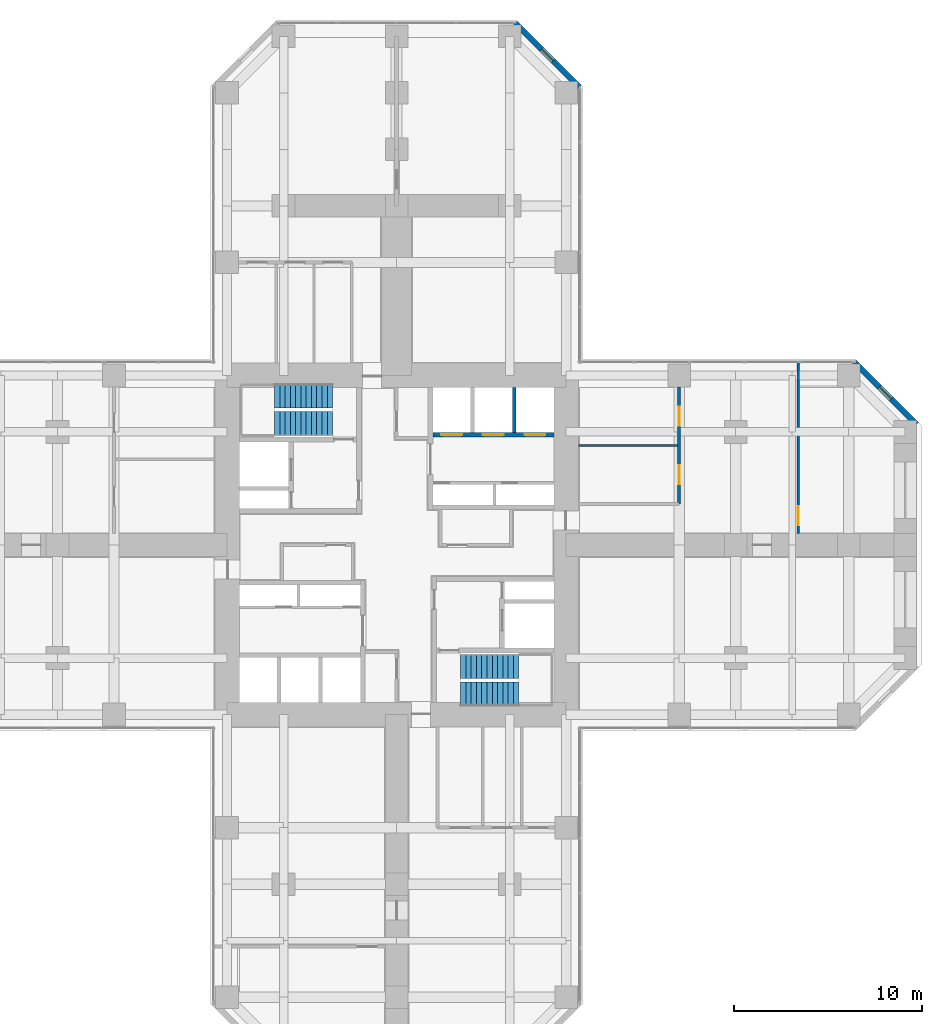
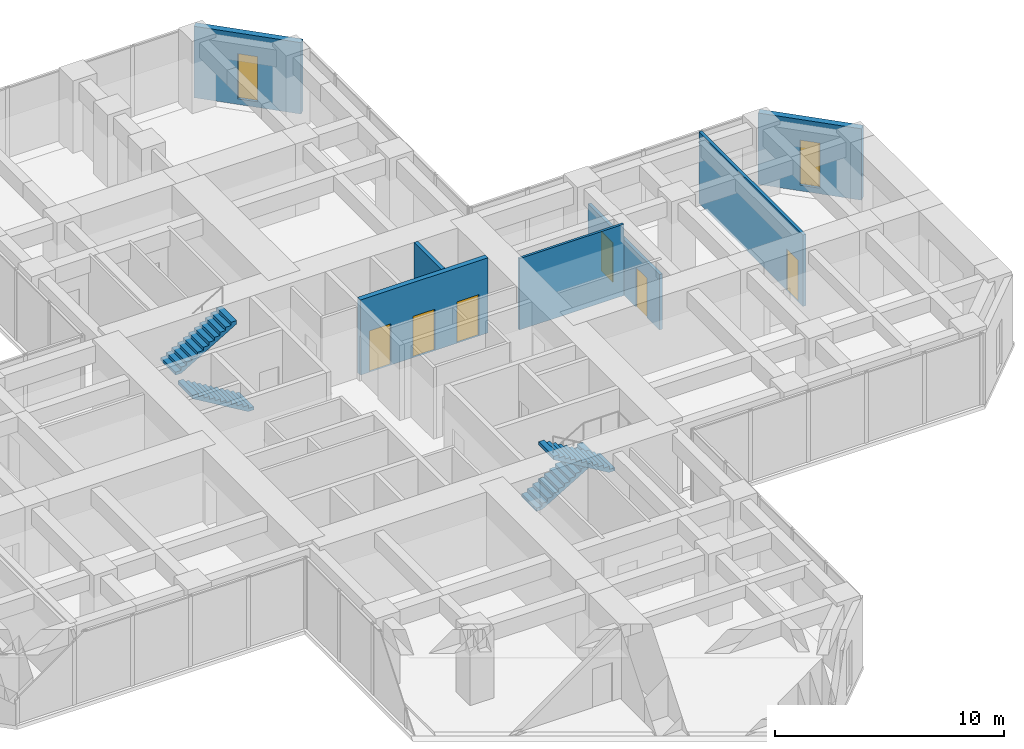
# One storey, part 11 of 12: 7 walls, 6 doors, 4 stair flights, 2 windows, 8 openings, 2 elements without a shape of their own.
"""IFC4 building model written with IfcOpenShell, lengths in metres."""

from ifc_helpers import new_model, si_unit, direction, frame, frame_2d, origin, place, context, subcontext, project, spatial, polyline, rectangle, hollow_rectangle, outline, extrude, material, layer, layer_set, constituent, constituent_set, type_object, element, fill, aggregate, save


model = new_model("IFC4")

# Units and contexts
model_context = context("Model", 3, precision=1e-05, world=origin(), true_north=direction((0.0, 1.0)))
body_context = subcontext(model_context, "Body", "Model", "MODEL_VIEW")
ifc_project = project(units=[si_unit("LENGTHUNIT", "METRE"), si_unit("AREAUNIT", "SQUARE_METRE"), si_unit("VOLUMEUNIT", "CUBIC_METRE"), si_unit("PLANEANGLEUNIT", "RADIAN"), si_unit("MASSUNIT", "GRAM", prefix="KILO")], contexts=[model_context])

# Site, building, storey
site_placement = place(None, origin())
site = spatial("IfcSite", under=ifc_project, at=site_placement, CompositionType="ELEMENT")
building_placement = place(site_placement, origin())
building = spatial("IfcBuilding", under=site, at=building_placement, Name="Torre Cruceta", CompositionType="ELEMENT")
storey_placement = place(building_placement, frame((0.0, 0.0, 59.5)))
storey = spatial("IfcBuildingStorey", under=building, at=storey_placement, Name="L14", CompositionType="ELEMENT", Elevation=59.5)

# Wall, openings, doors
ifc_material_1 = material(Name="Concrete G60 (fck 60 MPa)", Category="concrete")
ifc_layer_1 = layer(ifc_material_1, 0.25)
ifc_layer_set_1 = layer_set([ifc_layer_1], Name="Concrete G60 (fck 60 MPa)")
wall_type_1 = type_object("IfcWallType", Name="CORE INNER WALL 250 G60", PredefinedType="SHEAR", material=ifc_layer_set_1)
wall_1_placement = place(storey_placement, frame((1.925048828125, 5.85009765625, 0.0), z_axis=(0.0, 0.0, 1.0), x_axis=(1.0, 0.0, 0.0)))
wall_1 = element("IfcWall", 1, at=wall_1_placement, inside=storey, type_object=wall_type_1, Name="CW4 L14 NE-LV", PredefinedType="SHEAR", context=body_context, shape_type="SweptSolid", body=[
    extrude(rectangle(XDim=6.425048828125, YDim=0.25, at=frame_2d((3.21240234375, 0.0))), origin(), (0.0, 0.0, 1.0), 4.0),
])
opening_1_placement = place(wall_1_placement, frame((0.4541015625, 0.0, 0.0)))
opening_1 = element("IfcOpeningElement", 2, at=opening_1_placement, cuts=wall_1, Name="Opening LD1", PredefinedType="OPENING", context=body_context, shape_type="SweptSolid", body=[
    extrude(rectangle(XDim=1.10009765625, YDim=2.199951171875, at=frame_2d((0.550048828125, 1.10009765625))), frame((0.0, 0.135009765625, 0.0), z_axis=(0.0, -1.0, 0.0), x_axis=(1.0, 0.0, 0.0)), (0.0, 0.0, 1.0), 0.27001953125),
])
opening_2_placement = place(wall_1_placement, frame((2.66259765625, 0.0, 0.0)))
opening_2 = element("IfcOpeningElement", 3, at=opening_2_placement, cuts=wall_1, Name="Opening LD1", PredefinedType="OPENING", context=body_context, shape_type="SweptSolid", body=[
    extrude(rectangle(XDim=1.10009765625, YDim=2.199951171875, at=frame_2d((0.550048828125, 1.10009765625))), frame((0.0, 0.135009765625, 0.0), z_axis=(0.0, -1.0, 0.0), x_axis=(1.0, 0.0, 0.0)), (0.0, 0.0, 1.0), 0.27001953125),
])
opening_3_placement = place(wall_1_placement, frame((4.870849609375, 0.0, 0.0)))
opening_3 = element("IfcOpeningElement", 4, at=opening_3_placement, cuts=wall_1, Name="Opening LD1", PredefinedType="OPENING", context=body_context, shape_type="SweptSolid", body=[
    extrude(rectangle(XDim=1.10009765625, YDim=2.199951171875, at=frame_2d((0.550048828125, 1.10009765625))), frame((0.0, 0.135009765625, 0.0), z_axis=(0.0, -1.0, 0.0), x_axis=(1.0, 0.0, 0.0)), (0.0, 0.0, 1.0), 0.27001953125),
])
ifc_material_2 = material(Name="Stainless steel 1.4401", Category="steel")
door_type_1 = type_object("IfcDoorType", Name="LIFT LANDING DOOR 1100X2200", OperationType="DOUBLE_DOOR_SLIDING", PredefinedType="DOOR", material=ifc_material_2)
door_1_placement = place(opening_1_placement, origin())
door_1 = element("IfcDoor", 5, at=door_1_placement, inside=storey, type_object=door_type_1, Name="Lift landing door P1", OperationType="DOUBLE_DOOR_SLIDING", OverallHeight=2.199951171875, OverallWidth=1.10009765625, PredefinedType="DOOR", context=body_context, shape_type="SweptSolid", body=[
    extrude(rectangle(XDim=1.10009765625, YDim=2.199951171875, at=frame_2d((0.550048828125, 1.10009765625))), frame((0.0, 0.02490234375, 0.0), z_axis=(0.0, -1.0, 0.0), x_axis=(1.0, 0.0, 0.0)), (0.0, 0.0, 1.0), 0.050048828125),
])
fill(opening_1, door_1)
door_2_placement = place(opening_2_placement, origin())
door_2 = element("IfcDoor", 6, at=door_2_placement, inside=storey, type_object=door_type_1, Name="Lift landing door P2", OperationType="DOUBLE_DOOR_SLIDING", OverallHeight=2.199951171875, OverallWidth=1.10009765625, PredefinedType="DOOR", context=body_context, shape_type="SweptSolid", body=[
    extrude(rectangle(XDim=1.10009765625, YDim=2.199951171875, at=frame_2d((0.550048828125, 1.10009765625))), frame((0.0, 0.02490234375, 0.0), z_axis=(0.0, -1.0, 0.0), x_axis=(1.0, 0.0, 0.0)), (0.0, 0.0, 1.0), 0.050048828125),
])
fill(opening_2, door_2)
door_3_placement = place(opening_3_placement, origin())
door_3 = element("IfcDoor", 7, at=door_3_placement, inside=storey, type_object=door_type_1, Name="Lift landing door P3", OperationType="DOUBLE_DOOR_SLIDING", OverallHeight=2.199951171875, OverallWidth=1.10009765625, PredefinedType="DOOR", context=body_context, shape_type="SweptSolid", body=[
    extrude(rectangle(XDim=1.10009765625, YDim=2.199951171875, at=frame_2d((0.550048828125, 1.10009765625))), frame((0.0, 0.02490234375, 0.0), z_axis=(0.0, -1.0, 0.0), x_axis=(1.0, 0.0, 0.0)), (0.0, 0.0, 1.0), 0.050048828125),
])
fill(opening_3, door_3)

# Wall, opening, window
ifc_material_3 = material(Name="Concrete G30 (fck 30 MPa)", Category="concrete")
ifc_layer_2 = layer(ifc_material_3, 0.300048828125)
ifc_layer_set_2 = layer_set([ifc_layer_2], Name="Concrete G30 (fck 30 MPa)")
wall_type_2 = type_object("IfcWallType", Name="EXPOSED CONCRETE FACADE WALL 300", PredefinedType="SOLIDWALL", material=ifc_layer_set_2)
wall_2_placement = place(storey_placement, frame((27.60009765625, 6.418212890625, 0.0), z_axis=(0.0, 0.0, 1.0), x_axis=(-0.707106781187, 0.707106781187, 0.0)))
wall_2 = element("IfcWall", 8, at=wall_2_placement, inside=storey, type_object=wall_type_2, Name="EW1 facade wall L14 E chamfer 03", PredefinedType="SOLIDWALL", context=body_context, shape_type="SweptSolid", body=[
    extrude(rectangle(XDim=4.66943359375, YDim=0.300048828125, at=frame_2d((2.334716796875, 0.0))), origin(), (0.0, 0.0, 1.0), 3.800048828125),
])
opening_4_placement = place(wall_2_placement, frame((1.884765625, 0.0, 0.300048828125)))
opening_4 = element("IfcOpeningElement", 9, at=opening_4_placement, cuts=wall_2, Name="Opening WN5", PredefinedType="OPENING", context=body_context, shape_type="SweptSolid", body=[
    extrude(rectangle(XDim=0.89990234375, YDim=2.39990234375, at=frame_2d((0.449951171875, 1.199951171875))), frame((0.0, 0.159912109375, 0.0), z_axis=(0.0, -1.0, 0.0), x_axis=(1.0, 0.0, 0.0)), (0.0, 0.0, 1.0), 0.320068359375),
])
ifc_material_4 = material(Name="Aluminium window frame", Category="aluminium")
ifc_constituent_1 = constituent(ifc_material_4, Name="Frame")
ifc_material_5 = material(Name="Laminated insulating glass unit, low-iron clear", Category="glass")
ifc_constituent_2 = constituent(ifc_material_5, Name="Glazing")
ifc_constituent_set_1 = constituent_set(constituents=[ifc_constituent_1, ifc_constituent_2], Name="Aluminium window")
window_type = type_object("IfcWindowType", Name="CHAMFER SLOT WINDOW 900X2400", PartitioningType="SINGLE_PANEL", PredefinedType="WINDOW", material=ifc_constituent_set_1)
window_1_placement = place(opening_4_placement, origin())
window_1 = element("IfcWindow", 10, at=window_1_placement, inside=storey, type_object=window_type, Name="WN5 L14 E 1", OverallHeight=2.39990234375, OverallWidth=0.89990234375, PartitioningType="SINGLE_PANEL", PredefinedType="WINDOW", context=body_context, shape_type="SweptSolid", body=[
    extrude(hollow_rectangle(XDim=0.89990234375, YDim=2.39990234375, WallThickness=0.06005859375, at=frame_2d((0.449951171875, 1.199951171875))), frame((0.0, 0.030029296875, 0.0), z_axis=(0.0, -1.0, 0.0), x_axis=(1.0, 0.0, 0.0)), (0.0, 0.0, 1.0), 0.06005859375),
    extrude(rectangle(XDim=0.77880859375, YDim=2.27880859375, at=frame_2d((0.449951171875, 1.199951171875))), frame((0.0, 0.030029296875, 0.0), z_axis=(0.0, -1.0, 0.0), x_axis=(1.0, 0.0, 0.0)), (0.0, 0.0, 1.0), 0.06005859375),
])
fill(opening_4, window_1)

wall_3_placement = place(storey_placement, frame((9.719970703125, 24.29833984375, 0.0), z_axis=(0.0, 0.0, 1.0), x_axis=(-0.707106781187, 0.707106781187, 0.0)))
wall_3 = element("IfcWall", 11, at=wall_3_placement, inside=storey, type_object=wall_type_2, Name="EW1 facade wall L14 N chamfer 06", PredefinedType="SOLIDWALL", context=body_context, shape_type="SweptSolid", body=[
    extrude(rectangle(XDim=4.8388671875, YDim=0.300048828125, at=frame_2d((2.41943359375, 0.0))), origin(), (0.0, 0.0, 1.0), 3.800048828125),
])
opening_5_placement = place(wall_3_placement, frame((1.969482421875, 0.0, 0.300048828125)))
opening_5 = element("IfcOpeningElement", 12, at=opening_5_placement, cuts=wall_3, Name="Opening WN5", PredefinedType="OPENING", context=body_context, shape_type="SweptSolid", body=[
    extrude(rectangle(XDim=0.89990234375, YDim=2.39990234375, at=frame_2d((0.449951171875, 1.199951171875))), frame((0.0, 0.159912109375, 0.0), z_axis=(0.0, -1.0, 0.0), x_axis=(1.0, 0.0, 0.0)), (0.0, 0.0, 1.0), 0.320068359375),
])
window_2_placement = place(opening_5_placement, origin())
window_2 = element("IfcWindow", 13, at=window_2_placement, inside=storey, type_object=window_type, Name="WN5 L14 N 1", OverallHeight=2.39990234375, OverallWidth=0.89990234375, PartitioningType="SINGLE_PANEL", PredefinedType="WINDOW", context=body_context, shape_type="SweptSolid", body=[
    extrude(hollow_rectangle(XDim=0.89990234375, YDim=2.39990234375, WallThickness=0.06005859375, at=frame_2d((0.449951171875, 1.199951171875))), frame((0.0, 0.030029296875, 0.0), z_axis=(0.0, -1.0, 0.0), x_axis=(1.0, 0.0, 0.0)), (0.0, 0.0, 1.0), 0.06005859375),
    extrude(rectangle(XDim=0.77880859375, YDim=2.27880859375, at=frame_2d((0.449951171875, 1.199951171875))), frame((0.0, 0.030029296875, 0.0), z_axis=(0.0, -1.0, 0.0), x_axis=(1.0, 0.0, 0.0)), (0.0, 0.0, 1.0), 0.06005859375),
])
fill(opening_5, window_2)

# Wall
ifc_material_6 = material(Name="Concrete G35 (fck 35 MPa)", Category="concrete")
ifc_layer_3 = layer(ifc_material_6, 0.199951171875)
ifc_layer_set_3 = layer_set([ifc_layer_3], Name="Concrete G35 (fck 35 MPa)")
wall_type_3 = type_object("IfcWallType", Name="LIFT SHAFT WALL 200", PredefinedType="PARTITIONING", material=ifc_layer_set_3)
wall_4_placement = place(storey_placement, frame((6.24169921875, 5.97509765625, 0.0), z_axis=(0.0, 0.0, 1.0), x_axis=(0.0, 1.0, 0.0)))
element("IfcWall", 14, at=wall_4_placement, inside=storey, type_object=wall_type_3, Name="SW1 L14 NE-LS2", PredefinedType="PARTITIONING", context=body_context, shape_type="SweptSolid", body=[
    extrude(rectangle(XDim=2.375, YDim=0.199951171875, at=frame_2d((1.1875, 0.0))), origin(), (0.0, 0.0, 1.0), 4.0),
])

# Wall, openings, doors
ifc_material_7 = material(Name="Plasterboard on steel studs", Category="steel")
ifc_layer_4 = layer(ifc_material_7, 0.14990234375)
ifc_layer_set_4 = layer_set([ifc_layer_4], Name="Plasterboard on steel studs")
wall_type_4 = type_object("IfcWallType", Name="PARTITION 150", PredefinedType="PARTITIONING", material=ifc_layer_set_4)
wall_5_placement = place(storey_placement, frame((15.0, 2.175048828125, 0.0), z_axis=(0.0, 0.0, 1.0), x_axis=(0.0, 1.0, 0.0)))
wall_5 = element("IfcWall", 15, at=wall_5_placement, inside=storey, type_object=wall_type_4, Name="PT1 L14-E-BFL", PredefinedType="PARTITIONING", context=body_context, shape_type="SweptSolid", body=[
    extrude(rectangle(XDim=6.224853515625, YDim=0.14990234375, at=frame_2d((3.1123046875, 0.0))), origin(), (0.0, 0.0, 1.0), 2.949951171875),
])
opening_6_placement = place(wall_5_placement, frame((1.05615234375, 0.0, 0.0)))
opening_6 = element("IfcOpeningElement", 16, at=opening_6_placement, cuts=wall_5, Name="Opening D3", PredefinedType="OPENING", context=body_context, shape_type="SweptSolid", body=[
    extrude(rectangle(XDim=1.0, YDim=2.10009765625, at=frame_2d((0.5, 1.050048828125))), frame((0.0, 0.0849609375, 0.0), z_axis=(0.0, -1.0, 0.0), x_axis=(1.0, 0.0, 0.0)), (0.0, 0.0, 1.0), 0.169921875),
])
opening_7_placement = place(wall_5_placement, frame((4.168701171875, 0.0, 0.0)))
opening_7 = element("IfcOpeningElement", 17, at=opening_7_placement, cuts=wall_5, Name="Opening D3", PredefinedType="OPENING", context=body_context, shape_type="SweptSolid", body=[
    extrude(rectangle(XDim=1.0, YDim=2.10009765625, at=frame_2d((0.5, 1.050048828125))), frame((0.0, 0.0849609375, 0.0), z_axis=(0.0, -1.0, 0.0), x_axis=(1.0, 0.0, 0.0)), (0.0, 0.0, 1.0), 0.169921875),
])
ifc_material_8 = material(Name="Steel DX51D", Category="steel")
ifc_constituent_3 = constituent(ifc_material_8, Name="Leaf and frame")
ifc_material_9 = material(Name="Polyester powder coating", Category="paint")
ifc_constituent_4 = constituent(ifc_material_9, Name="Finish")
ifc_constituent_set_2 = constituent_set(constituents=[ifc_constituent_3, ifc_constituent_4], Name="Steel fire door")
door_type_2 = type_object("IfcDoorType", Name="FIRE DOOR 1000X2100", OperationType="SINGLE_SWING_LEFT", PredefinedType="DOOR", material=ifc_constituent_set_2)
door_4_placement = place(opening_6_placement, origin())
door_4 = element("IfcDoor", 18, at=door_4_placement, inside=storey, type_object=door_type_2, Name="D3 L14-E-BFL-D1", OperationType="SINGLE_SWING_LEFT", OverallHeight=2.10009765625, OverallWidth=1.0, PredefinedType="DOOR", context=body_context, shape_type="SweptSolid", body=[
    extrude(rectangle(XDim=1.0, YDim=2.10009765625, at=frame_2d((0.5, 1.050048828125))), frame((0.0, 0.02490234375, 0.0), z_axis=(0.0, -1.0, 0.0), x_axis=(1.0, 0.0, 0.0)), (0.0, 0.0, 1.0), 0.050048828125),
])
fill(opening_6, door_4)
door_5_placement = place(opening_7_placement, origin())
door_5 = element("IfcDoor", 19, at=door_5_placement, inside=storey, type_object=door_type_2, Name="D3 L14-E-BFL-D2", OperationType="SINGLE_SWING_LEFT", OverallHeight=2.10009765625, OverallWidth=1.0, PredefinedType="DOOR", context=body_context, shape_type="SweptSolid", body=[
    extrude(rectangle(XDim=1.0, YDim=2.10009765625, at=frame_2d((0.5, 1.050048828125))), frame((0.0, 0.02490234375, 0.0), z_axis=(0.0, -1.0, 0.0), x_axis=(1.0, 0.0, 0.0)), (0.0, 0.0, 1.0), 0.050048828125),
])
fill(opening_7, door_5)

# Wall, opening, door
wall_6_placement = place(storey_placement, frame((21.320068359375, 0.60009765625, 0.0), z_axis=(0.0, 0.0, 1.0), x_axis=(0.0, 1.0, 0.0)))
wall_6 = element("IfcWall", 20, at=wall_6_placement, inside=storey, type_object=wall_type_4, Name="PT1 L14-E-TWL", PredefinedType="PARTITIONING", context=body_context, shape_type="SweptSolid", body=[
    extrude(rectangle(XDim=9.079833984375, YDim=0.14990234375, at=frame_2d((4.5400390625, 0.0))), origin(), (0.0, 0.0, 1.0), 3.800048828125),
])
opening_8_placement = place(wall_6_placement, frame((0.449951171875, 0.0, 0.0)))
opening_8 = element("IfcOpeningElement", 21, at=opening_8_placement, cuts=wall_6, Name="Opening D14", PredefinedType="OPENING", context=body_context, shape_type="SweptSolid", body=[
    extrude(rectangle(XDim=1.0, YDim=2.199951171875, at=frame_2d((0.5, 1.10009765625))), frame((0.0, 0.0849609375, 0.0), z_axis=(0.0, -1.0, 0.0), x_axis=(1.0, 0.0, 0.0)), (0.0, 0.0, 1.0), 0.169921875),
])
ifc_material_10 = material(Name="Steel DX51D", Category="steel")
ifc_constituent_5 = constituent(ifc_material_10, Name="Leaf and frame")
ifc_material_11 = material(Name="Polyester powder coating", Category="paint")
ifc_constituent_6 = constituent(ifc_material_11, Name="Finish")
ifc_material_12 = material(Name="Fire-resisting glass", Category="glass")
ifc_constituent_7 = constituent(ifc_material_12, Name="Vision panel")
ifc_constituent_set_3 = constituent_set(constituents=[ifc_constituent_5, ifc_constituent_6, ifc_constituent_7], Name="Steel fire door with vision panel")
door_type_3 = type_object("IfcDoorType", Name="FIRE DOOR VISION PANEL 1000X2200", OperationType="SINGLE_SWING_RIGHT", PredefinedType="DOOR", material=ifc_constituent_set_3)
door_6_placement = place(opening_8_placement, frame((1.0, 0.0, 0.0), z_axis=(0.0, 0.0, 1.0), x_axis=(-1.0, 0.0, 0.0)))
door_6 = element("IfcDoor", 22, at=door_6_placement, inside=storey, type_object=door_type_3, Name="D14 L14-E-TWL-D1", OperationType="SINGLE_SWING_RIGHT", OverallHeight=2.199951171875, OverallWidth=1.0, PredefinedType="DOOR", context=body_context, shape_type="SweptSolid", body=[
    extrude(rectangle(XDim=1.0, YDim=2.199951171875, at=frame_2d((0.5, 1.10009765625))), frame((0.0, 0.025146484375, 0.0), z_axis=(0.0, -1.0, 0.0), x_axis=(1.0, 0.0, 0.0)), (0.0, 0.0, 1.0), 0.050048828125),
])
fill(opening_8, door_6)

# Wall
ifc_material_13 = material(Name="Plasterboard on steel studs", Category="steel")
ifc_layer_5 = layer(ifc_material_13, 0.1201171875)
ifc_layer_set_5 = layer_set([ifc_layer_5], Name="Plasterboard on steel studs")
wall_type_5 = type_object("IfcWallType", Name="WC PARTITION 120", PredefinedType="PLUMBINGWALL", material=ifc_layer_set_5)
wall_7_placement = place(storey_placement, frame((9.64990234375, 5.28759765625, 0.0), z_axis=(0.0, 0.0, 1.0), x_axis=(1.0, 0.0, 0.0)))
element("IfcWall", 23, at=wall_7_placement, inside=storey, type_object=wall_type_5, Name="PT5 L14-E-BDL1", PredefinedType="PLUMBINGWALL", context=body_context, shape_type="SweptSolid", body=[
    extrude(rectangle(XDim=5.25, YDim=0.1201171875, at=frame_2d((2.625, 0.0))), origin(), (0.0, 0.0, 1.0), 3.800048828125),
])

# Stair, stair flights
ifc_material_14 = material(Name="Concrete G30 (fck 30 MPa)", Category="concrete")
stair_type = type_object("IfcStairType", Name="STAIR HALF-TURN 1300", PredefinedType="HALF_TURN_STAIR", material=ifc_material_14)
stair_1_placement = place(storey_placement, origin())
stair_1 = element("IfcStair", 24, at=stair_1_placement, inside=storey, type_object=stair_type, Name="Stair ST1 L14", PredefinedType="HALF_TURN_STAIR")
ifc_material_15 = material(Name="Concrete G30 (fck 30 MPa)", Category="concrete")
stair_flight_type = type_object("IfcStairFlightType", Name="STAIR FLIGHT 1300", PredefinedType="STRAIGHT", material=ifc_material_15)
stair_flight_1_placement = place(storey_placement, frame((-3.39990234375, 6.425048828125, 0.0), z_axis=(0.0, 0.0, 1.0), x_axis=(-1.0, 0.0, 0.0)))
stair_flight_1 = element("IfcStairFlight", 25, at=stair_flight_1_placement, type_object=stair_flight_type, Name="ST1 flight 1", NumberOfRisers=12, NumberOfTreads=11, PredefinedType="STRAIGHT", RiserHeight=0.166666667, TreadLength=0.28, context=body_context, shape_type="SweptSolid", body=[
    extrude(outline(polyline([(0.0, 0.0), (0.0, 0.166748046875), (0.280029296875, 0.166748046875), (0.280029296875, 0.333251953125), (0.56005859375, 0.333251953125), (0.56005859375, 0.5), (0.840087890625, 0.5), (0.840087890625, 0.666748046875), (1.1201171875, 0.666748046875), (1.1201171875, 0.833251953125), (1.39990234375, 0.833251953125), (1.39990234375, 1.0), (1.679931640625, 1.0), (1.679931640625, 1.166748046875), (1.9599609375, 1.166748046875), (1.9599609375, 1.333251953125), (2.239990234375, 1.333251953125), (2.239990234375, 1.5), (2.52001953125, 1.5), (2.52001953125, 1.666748046875), (2.800048828125, 1.666748046875), (2.800048828125, 1.833251953125), (3.080078125, 1.833251953125), (3.080078125, 2.0), (3.080078125, 1.658935546875), (0.29296875, 0.0), (0.0, 0.0)])), frame((0.0, 0.64990234375, 0.0), z_axis=(0.0, -1.0, 0.0), x_axis=(1.0, 0.0, 0.0)), (0.0, 0.0, 1.0), 1.300048828125),
])
stair_flight_2_placement = place(storey_placement, frame((-6.47998046875, 7.925048828125, 2.0), z_axis=(0.0, 0.0, 1.0), x_axis=(1.0, 0.0, 0.0)))
stair_flight_2 = element("IfcStairFlight", 26, at=stair_flight_2_placement, type_object=stair_flight_type, Name="ST1 flight 2", NumberOfRisers=12, NumberOfTreads=11, PredefinedType="STRAIGHT", RiserHeight=0.166666667, TreadLength=0.28, context=body_context, shape_type="SweptSolid", body=[
    extrude(outline(polyline([(0.0, 0.0), (0.0, 0.166748046875), (0.280029296875, 0.166748046875), (0.280029296875, 0.333251953125), (0.56005859375, 0.333251953125), (0.56005859375, 0.5), (0.840087890625, 0.5), (0.840087890625, 0.666748046875), (1.1201171875, 0.666748046875), (1.1201171875, 0.833251953125), (1.39990234375, 0.833251953125), (1.39990234375, 1.0), (1.679931640625, 1.0), (1.679931640625, 1.166748046875), (1.9599609375, 1.166748046875), (1.9599609375, 1.333251953125), (2.239990234375, 1.333251953125), (2.239990234375, 1.5), (2.52001953125, 1.5), (2.52001953125, 1.666748046875), (2.800048828125, 1.666748046875), (2.800048828125, 1.833251953125), (3.080078125, 1.833251953125), (3.080078125, 2.0), (3.080078125, 1.658935546875), (0.29296875, 0.0), (0.0, 0.0)])), frame((0.0, 0.64990234375, 0.0), z_axis=(0.0, -1.0, 0.0), x_axis=(1.0, 0.0, 0.0)), (0.0, 0.0, 1.0), 1.300048828125),
])
aggregate(stair_1, [stair_flight_1, stair_flight_2])

stair_2_placement = place(storey_placement, origin())
stair_2 = element("IfcStair", 27, at=stair_2_placement, inside=storey, type_object=stair_type, Name="Stair ST2 L14", PredefinedType="HALF_TURN_STAIR")
stair_flight_3_placement = place(storey_placement, frame((3.39990234375, -6.425048828125, 0.0), z_axis=(0.0, 0.0, 1.0), x_axis=(1.0, 0.0, 0.0)))
stair_flight_3 = element("IfcStairFlight", 28, at=stair_flight_3_placement, type_object=stair_flight_type, Name="ST2 flight 1", NumberOfRisers=12, NumberOfTreads=11, PredefinedType="STRAIGHT", RiserHeight=0.166666667, TreadLength=0.28, context=body_context, shape_type="SweptSolid", body=[
    extrude(outline(polyline([(0.0, 0.0), (0.0, 0.166748046875), (0.280029296875, 0.166748046875), (0.280029296875, 0.333251953125), (0.56005859375, 0.333251953125), (0.56005859375, 0.5), (0.840087890625, 0.5), (0.840087890625, 0.666748046875), (1.1201171875, 0.666748046875), (1.1201171875, 0.833251953125), (1.39990234375, 0.833251953125), (1.39990234375, 1.0), (1.679931640625, 1.0), (1.679931640625, 1.166748046875), (1.9599609375, 1.166748046875), (1.9599609375, 1.333251953125), (2.239990234375, 1.333251953125), (2.239990234375, 1.5), (2.52001953125, 1.5), (2.52001953125, 1.666748046875), (2.800048828125, 1.666748046875), (2.800048828125, 1.833251953125), (3.080078125, 1.833251953125), (3.080078125, 2.0), (3.080078125, 1.658935546875), (0.29296875, 0.0), (0.0, 0.0)])), frame((0.0, 0.64990234375, 0.0), z_axis=(0.0, -1.0, 0.0), x_axis=(1.0, 0.0, 0.0)), (0.0, 0.0, 1.0), 1.300048828125),
])
stair_flight_4_placement = place(storey_placement, frame((6.47998046875, -7.925048828125, 2.0), z_axis=(0.0, 0.0, 1.0), x_axis=(-1.0, 0.0, 0.0)))
stair_flight_4 = element("IfcStairFlight", 29, at=stair_flight_4_placement, type_object=stair_flight_type, Name="ST2 flight 2", NumberOfRisers=12, NumberOfTreads=11, PredefinedType="STRAIGHT", RiserHeight=0.166666667, TreadLength=0.28, context=body_context, shape_type="SweptSolid", body=[
    extrude(outline(polyline([(0.0, 0.0), (0.0, 0.166748046875), (0.280029296875, 0.166748046875), (0.280029296875, 0.333251953125), (0.56005859375, 0.333251953125), (0.56005859375, 0.5), (0.840087890625, 0.5), (0.840087890625, 0.666748046875), (1.1201171875, 0.666748046875), (1.1201171875, 0.833251953125), (1.39990234375, 0.833251953125), (1.39990234375, 1.0), (1.679931640625, 1.0), (1.679931640625, 1.166748046875), (1.9599609375, 1.166748046875), (1.9599609375, 1.333251953125), (2.239990234375, 1.333251953125), (2.239990234375, 1.5), (2.52001953125, 1.5), (2.52001953125, 1.666748046875), (2.800048828125, 1.666748046875), (2.800048828125, 1.833251953125), (3.080078125, 1.833251953125), (3.080078125, 2.0), (3.080078125, 1.658935546875), (0.29296875, 0.0), (0.0, 0.0)])), frame((0.0, 0.64990234375, 0.0), z_axis=(0.0, -1.0, 0.0), x_axis=(1.0, 0.0, 0.0)), (0.0, 0.0, 1.0), 1.300048828125),
])
aggregate(stair_2, [stair_flight_3, stair_flight_4])

save(model, "model.ifc")
